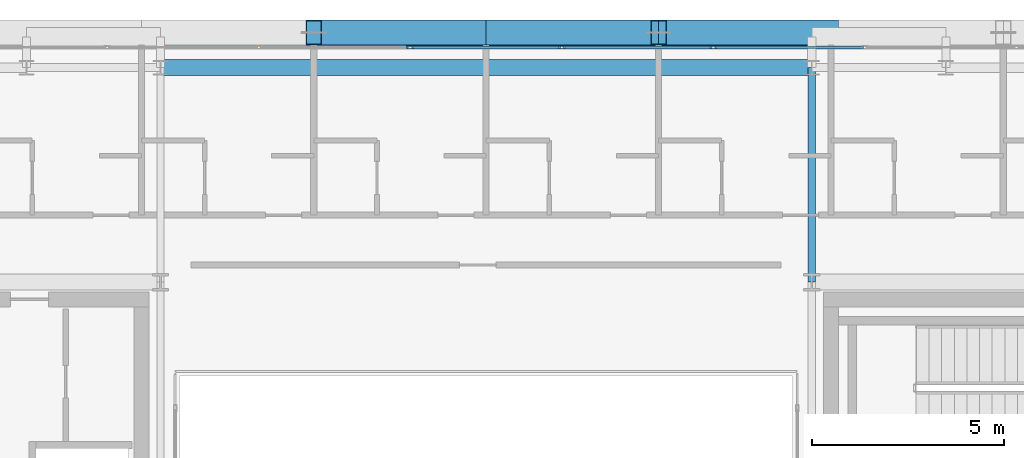
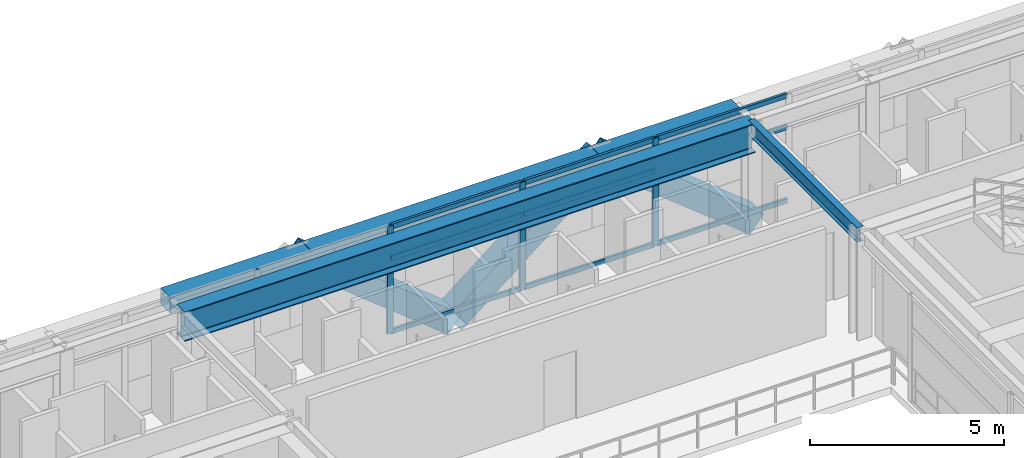
# One storey, part 16 of 29: 15 members, 3 beams, 1 element without a shape of its own.
"""IFC4 building model written with IfcOpenShell, lengths in metres."""

from ifc_helpers import new_model, si_unit, direction, frame, origin, origin_2d, place, context, subcontext, project, spatial, hollow_rectangle, i_section, extrude, source, transform, mapped, material, layer, layer_set, material_profile, profile_set, type_object, element, aggregate, save


model = new_model("IFC4")

# Units and contexts
model_context = context("Model", 3, precision=1e-05, world=origin(), true_north=direction((0.0, 1.0)))
body_context = subcontext(model_context, "Body", "Model", "MODEL_VIEW")
ifc_project = project(units=[si_unit("LENGTHUNIT", "METRE"), si_unit("AREAUNIT", "SQUARE_METRE"), si_unit("VOLUMEUNIT", "CUBIC_METRE"), si_unit("PLANEANGLEUNIT", "RADIAN"), si_unit("MASSUNIT", "GRAM", prefix="KILO")], contexts=[model_context])

# Site, building, storey
site_placement = place(None, origin())
site = spatial("IfcSite", under=ifc_project, at=site_placement, CompositionType="ELEMENT")
building_placement = place(site_placement, origin())
building = spatial("IfcBuilding", under=site, at=building_placement, Name="Ocotamira Hotel", CompositionType="ELEMENT")
storey_placement = place(building_placement, frame((0.0, 0.0, 236.39990234375)))
storey = spatial("IfcBuildingStorey", under=building, at=storey_placement, Name="L59", CompositionType="ELEMENT", Elevation=236.39990234375)

# Beams
ifc_material_1 = material(Name="Steel ASTM A992 Grade 50", Category="steel")
ifc_material_profile_1 = material_profile(ifc_material_1, i_section(OverallWidth=0.41796875, OverallDepth=0.927001953125, WebThickness=0.019287109375, FlangeThickness=0.031982421875, FilletRadius=0.02392578125, at=origin_2d()), Name="W36X231")
ifc_profile_set_1 = profile_set([ifc_material_profile_1], Name="Steel ASTM A992 Grade 50")
beam_type_1 = type_object("IfcBeamType", Name="BM-GIRD-W36X231", PredefinedType="BEAM", material=ifc_profile_set_1)
shared_shape_1 = source(origin(), body_context, "Body", "SweptSolid", [
    extrude(i_section(OverallWidth=0.41796875, OverallDepth=0.927001953125, WebThickness=0.019287109375, FlangeThickness=0.031982421875, FilletRadius=0.02392578125, at=origin_2d()), origin(), (0.0, 0.0, 1.0), 17.0),
])
beam_1_placement = place(storey_placement, frame((23.5, 43.050048828125, 2.91650390625), z_axis=(1.0, 0.0, 0.0), x_axis=(0.0, 1.0, 0.0)))
element("IfcBeam", 1, at=beam_1_placement, inside=storey, type_object=beam_type_1, Name="L59 Girder Y43.05 X23.5-40.5", PredefinedType="BEAM", context=body_context, shape_type="MappedRepresentation", body=[
    mapped(shared_shape_1, transform((0.0, 0.0, 0.0), scale=1.0)),
])
ifc_material_2 = material(Name="Steel ASTM A500 Grade C", Category="steel")
ifc_material_profile_2 = material_profile(ifc_material_2, hollow_rectangle(XDim=0.5, YDim=0.5, WallThickness=0.02001953125, at=origin_2d()), Name="HSS500X500X20")
ifc_profile_set_2 = profile_set([ifc_material_profile_2], Name="Steel ASTM A500 Grade C")
beam_type_2 = type_object("IfcBeamType", Name="BM-SPAN-HSS500", PredefinedType="USERDEFINED", material=ifc_profile_set_2)
shared_shape_2 = source(origin(), body_context, "Body", "SweptSolid", [
    extrude(hollow_rectangle(XDim=0.5, YDim=0.5, WallThickness=0.02001953125, at=origin_2d()), origin(), (0.0, 0.0, 1.0), 17.0),
])
beam_2_placement = place(storey_placement, frame((23.5, 43.85009765625, 3.130126953125), z_axis=(1.0, 0.0, 0.0), x_axis=(0.0, 1.0, 0.0)))
element("IfcBeam", 2, at=beam_2_placement, inside=storey, type_object=beam_type_2, Name="L59 Edge Spandrel N X23.5-40.5", ObjectType="SPANDREL", PredefinedType="USERDEFINED", context=body_context, shape_type="MappedRepresentation", body=[
    mapped(shared_shape_2, transform((0.0, 0.0, 0.0), scale=1.0)),
])
ifc_material_profile_3 = material_profile(ifc_material_1, i_section(OverallWidth=0.18994140625, OverallDepth=0.45703125, WebThickness=0.009033203125, FlangeThickness=0.014404296875, FilletRadius=0.010009765625, at=origin_2d()), Name="W18X50")
ifc_profile_set_3 = profile_set([ifc_material_profile_3], Name="Steel ASTM A992 Grade 50")
beam_type_3 = type_object("IfcBeamType", Name="BM-SEC-W18X50", PredefinedType="JOIST", material=ifc_profile_set_3)
shared_shape_3 = source(origin(), body_context, "Body", "SweptSolid", [
    extrude(i_section(OverallWidth=0.18994140625, OverallDepth=0.45703125, WebThickness=0.009033203125, FlangeThickness=0.014404296875, FilletRadius=0.010009765625, at=origin_2d()), origin(), (0.0, 0.0, 1.0), 5.60009765625),
])
beam_3_placement = place(storey_placement, frame((40.5, 37.449951171875, 3.151611328125), z_axis=(0.0, 1.0, 0.0), x_axis=(-1.0, 0.0, 0.0)))
element("IfcBeam", 3, at=beam_3_placement, inside=storey, type_object=beam_type_3, Name="L59 Beam X40.5 Y37.45-43.05", PredefinedType="JOIST", context=body_context, shape_type="MappedRepresentation", body=[
    mapped(shared_shape_3, transform((0.0, 0.0, 0.0), scale=1.0)),
])

# Members
ifc_material_3 = material(Name="Pale-metal coated steel ASTM A913 Grade 65", Category="steel")
ifc_material_profile_4 = material_profile(ifc_material_3, hollow_rectangle(XDim=0.64990234375, YDim=0.64990234375, WallThickness=0.02197265625, at=origin_2d()), Name="BOX650X650X22")
ifc_profile_set_4 = profile_set([ifc_material_profile_4], Name="Pale-metal coated steel ASTM A913 Grade 65")
member_type_1 = type_object("IfcMemberType", Name="MEM-EXO-BOX650", PredefinedType="BRACE", material=ifc_profile_set_4)
shared_shape_4 = source(origin(), body_context, "Body", "SweptSolid", [
    extrude(hollow_rectangle(XDim=0.64990234375, YDim=0.64990234375, WallThickness=0.02197265625, at=origin_2d()), origin(), (0.0, 0.0, 1.0), 5.762939453125),
])
for number, where, z_axis, x_axis, name in (
    (4, (32.0, 43.969970703125, -0.469970703125), (-0.780860543151, 0.0, 0.624705380279), (0.0, -1.0, 0.0), "L59 Exoskeleton Diagrid N1.2"),
    (5, (32.0, 43.969970703125, -0.469970703125), (0.780860543151, 0.0, 0.624705380279), (0.0, 1.0, 0.0), "L59 Exoskeleton Diagrid N2.1"),
    (6, (41.0, 43.969970703125, -0.469970703125), (-0.780860543151, 0.0, 0.624705380279), (0.0, -1.0, 0.0), "L59 Exoskeleton Diagrid N2.2"),
):
    element("IfcMember", number, at=place(storey_placement, frame(where, z_axis=z_axis, x_axis=x_axis)), inside=storey, type_object=member_type_1, Name=name, PredefinedType="BRACE", context=body_context, shape_type="MappedRepresentation", body=[
        mapped(shared_shape_4, transform((0.0, 0.0, 0.0), scale=1.0)),
    ])

# Curtain wall, members
ifc_material_4 = material(Name="Anodised pale-metal aluminium and solar glass", Category="aluminium")
ifc_layer = layer(ifc_material_4, 0.239990234375)
ifc_layer_set = layer_set([ifc_layer], Name="Anodised pale-metal aluminium and solar glass")
curtain_wall_type = type_object("IfcCurtainWallType", Name="CW-SYS5-SKY", PredefinedType="NOTDEFINED", material=ifc_layer_set)
curtain_wall_placement = place(storey_placement, origin())
curtain_wall = element("IfcCurtainWall", 7, at=curtain_wall_placement, inside=storey, type_object=curtain_wall_type, Name="L59 Curtain Wall CW-5 CW-L59-N", PredefinedType="NOTDEFINED")
ifc_material_5 = material(Name="Anodised pale-metal aluminium 6063-T6", Category="aluminium")
ifc_material_profile_5 = material_profile(ifc_material_5, hollow_rectangle(XDim=0.074951171875, YDim=0.14990234375, WallThickness=0.006103515625, at=origin_2d()), Name="HSS150X75X6")
ifc_profile_set_5 = profile_set([ifc_material_profile_5], Name="Anodised pale-metal aluminium 6063-T6")
member_type_2 = type_object("IfcMemberType", Name="CWT-150X75", PredefinedType="USERDEFINED", material=ifc_profile_set_5)
shared_shape_5 = source(origin(), body_context, "Body", "SweptSolid", [
    extrude(hollow_rectangle(XDim=0.074951171875, YDim=0.14990234375, WallThickness=0.006103515625, at=origin_2d()), origin(), (0.0, 0.0, 1.0), 3.87548828125),
])
member_1_placement = place(storey_placement, frame((30.062255859375, 43.580078125, 0.03759765625), z_axis=(1.0, 0.0, 0.0), x_axis=(0.0, 1.0, 0.0)))
member_1 = element("IfcMember", 8, at=member_1_placement, type_object=member_type_2, Name="CW-5 transom 5.1", ObjectType="TRANSOM", PredefinedType="USERDEFINED", context=body_context, shape_type="MappedRepresentation", body=[
    mapped(shared_shape_5, transform((0.0, 0.0, 0.0), scale=1.0)),
])
member_2_placement = place(storey_placement, frame((30.062255859375, 43.580078125, 2.35009765625), z_axis=(1.0, 0.0, 0.0), x_axis=(0.0, 1.0, 0.0)))
member_2 = element("IfcMember", 9, at=member_2_placement, type_object=member_type_2, Name="CW-5 transom 5.2", ObjectType="TRANSOM", PredefinedType="USERDEFINED", context=body_context, shape_type="MappedRepresentation", body=[
    mapped(shared_shape_5, transform((0.0, 0.0, 0.0), scale=1.0)),
])
member_3_placement = place(storey_placement, frame((30.062255859375, 43.580078125, 3.342529296875), z_axis=(1.0, 0.0, 0.0), x_axis=(0.0, 1.0, 0.0)))
member_3 = element("IfcMember", 10, at=member_3_placement, type_object=member_type_2, Name="CW-5 transom 5.3", ObjectType="TRANSOM", PredefinedType="USERDEFINED", context=body_context, shape_type="MappedRepresentation", body=[
    mapped(shared_shape_5, transform((0.0, 0.0, 0.0), scale=1.0)),
])
member_4_placement = place(storey_placement, frame((34.017822265625, 43.580078125, 0.03759765625), z_axis=(1.0, 0.0, 0.0), x_axis=(0.0, 1.0, 0.0)))
member_4 = element("IfcMember", 11, at=member_4_placement, type_object=member_type_2, Name="CW-5 transom 6.1", ObjectType="TRANSOM", PredefinedType="USERDEFINED", context=body_context, shape_type="MappedRepresentation", body=[
    mapped(shared_shape_5, transform((0.0, 0.0, 0.0), scale=1.0)),
])
member_5_placement = place(storey_placement, frame((34.017822265625, 43.580078125, 2.35009765625), z_axis=(1.0, 0.0, 0.0), x_axis=(0.0, 1.0, 0.0)))
member_5 = element("IfcMember", 12, at=member_5_placement, type_object=member_type_2, Name="CW-5 transom 6.2", ObjectType="TRANSOM", PredefinedType="USERDEFINED", context=body_context, shape_type="MappedRepresentation", body=[
    mapped(shared_shape_5, transform((0.0, 0.0, 0.0), scale=1.0)),
])
member_6_placement = place(storey_placement, frame((34.017822265625, 43.580078125, 3.342529296875), z_axis=(1.0, 0.0, 0.0), x_axis=(0.0, 1.0, 0.0)))
member_6 = element("IfcMember", 13, at=member_6_placement, type_object=member_type_2, Name="CW-5 transom 6.3", ObjectType="TRANSOM", PredefinedType="USERDEFINED", context=body_context, shape_type="MappedRepresentation", body=[
    mapped(shared_shape_5, transform((0.0, 0.0, 0.0), scale=1.0)),
])
member_7_placement = place(storey_placement, frame((37.973388671875, 43.580078125, 0.03759765625), z_axis=(1.0, 0.0, 0.0), x_axis=(0.0, 1.0, 0.0)))
member_7 = element("IfcMember", 14, at=member_7_placement, type_object=member_type_2, Name="CW-5 transom 7.1", ObjectType="TRANSOM", PredefinedType="USERDEFINED", context=body_context, shape_type="MappedRepresentation", body=[
    mapped(shared_shape_5, transform((0.0, 0.0, 0.0), scale=1.0)),
])
member_8_placement = place(storey_placement, frame((37.973388671875, 43.580078125, 2.35009765625), z_axis=(1.0, 0.0, 0.0), x_axis=(0.0, 1.0, 0.0)))
member_8 = element("IfcMember", 15, at=member_8_placement, type_object=member_type_2, Name="CW-5 transom 7.2", ObjectType="TRANSOM", PredefinedType="USERDEFINED", context=body_context, shape_type="MappedRepresentation", body=[
    mapped(shared_shape_5, transform((0.0, 0.0, 0.0), scale=1.0)),
])
member_9_placement = place(storey_placement, frame((37.973388671875, 43.580078125, 3.342529296875), z_axis=(1.0, 0.0, 0.0), x_axis=(0.0, 1.0, 0.0)))
member_9 = element("IfcMember", 16, at=member_9_placement, type_object=member_type_2, Name="CW-5 transom 7.3", ObjectType="TRANSOM", PredefinedType="USERDEFINED", context=body_context, shape_type="MappedRepresentation", body=[
    mapped(shared_shape_5, transform((0.0, 0.0, 0.0), scale=1.0)),
])
ifc_material_profile_6 = material_profile(ifc_material_5, hollow_rectangle(XDim=0.080078125, YDim=0.179931640625, WallThickness=0.006103515625, at=origin_2d()), Name="HSS180X80X6")
ifc_profile_set_6 = profile_set([ifc_material_profile_6], Name="Anodised pale-metal aluminium 6063-T6")
member_type_3 = type_object("IfcMemberType", Name="CWM-180X75", PredefinedType="MULLION", material=ifc_profile_set_6)
shared_shape_6 = source(origin(), body_context, "Body", "SweptSolid", [
    extrude(hollow_rectangle(XDim=0.080078125, YDim=0.179931640625, WallThickness=0.006103515625, at=origin_2d()), origin(), (0.0, 0.0, 1.0), 3.380126953125),
])
member_10_placement = place(storey_placement, frame((30.022216796875, 43.580078125, 0.0), z_axis=(0.0, 0.0, 1.0), x_axis=(0.0, 1.0, 0.0)))
member_10 = element("IfcMember", 17, at=member_10_placement, type_object=member_type_3, Name="CW-5 mullion 5", PredefinedType="MULLION", context=body_context, shape_type="MappedRepresentation", body=[
    mapped(shared_shape_6, transform((0.0, 0.0, 0.0), scale=1.0)),
])
member_11_placement = place(storey_placement, frame((33.977783203125, 43.580078125, 0.0), z_axis=(0.0, 0.0, 1.0), x_axis=(0.0, 1.0, 0.0)))
member_11 = element("IfcMember", 18, at=member_11_placement, type_object=member_type_3, Name="CW-5 mullion 6", PredefinedType="MULLION", context=body_context, shape_type="MappedRepresentation", body=[
    mapped(shared_shape_6, transform((0.0, 0.0, 0.0), scale=1.0)),
])
member_12_placement = place(storey_placement, frame((37.933349609375, 43.580078125, 0.0), z_axis=(0.0, 0.0, 1.0), x_axis=(0.0, 1.0, 0.0)))
member_12 = element("IfcMember", 19, at=member_12_placement, type_object=member_type_3, Name="CW-5 mullion 7", PredefinedType="MULLION", context=body_context, shape_type="MappedRepresentation", body=[
    mapped(shared_shape_6, transform((0.0, 0.0, 0.0), scale=1.0)),
])
aggregate(curtain_wall, [member_10, member_11, member_12, member_1, member_2, member_3, member_4, member_5, member_6, member_7, member_8, member_9])

save(model, "model.ifc")
